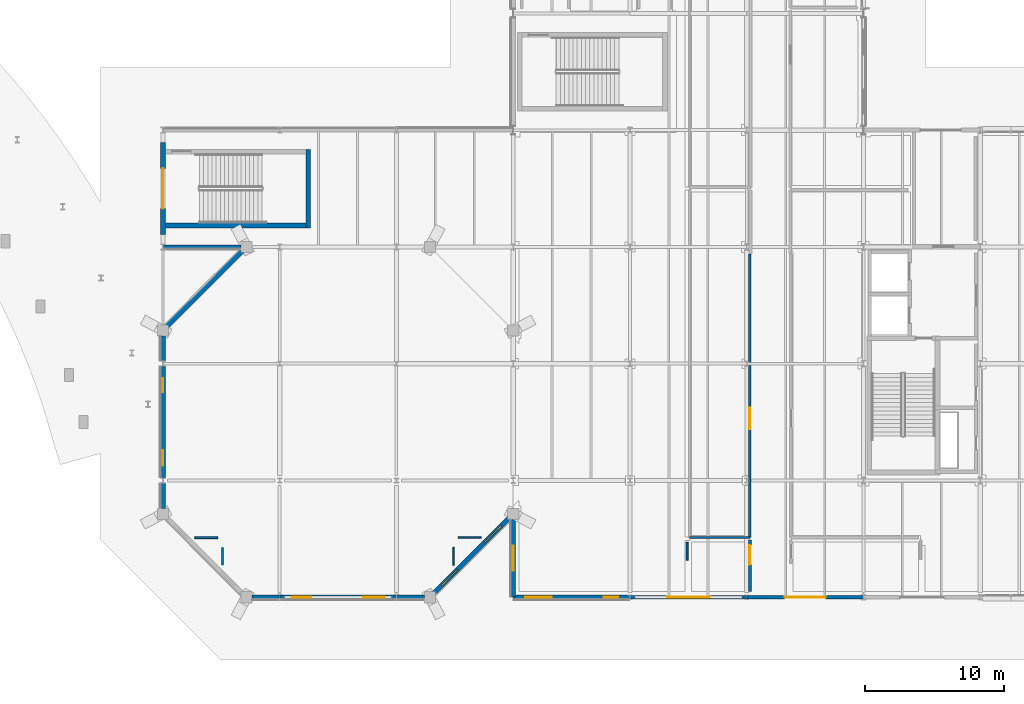
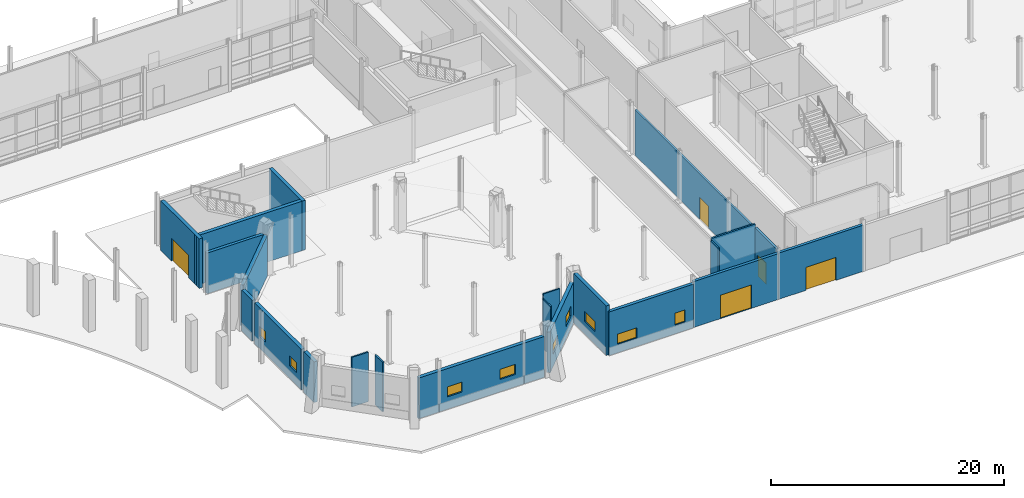
# One storey, part 84 of 124: 24 walls, 9 windows, 5 doors, 14 openings.
"""IFC4 building model written with IfcOpenShell, lengths in metres."""

from ifc_helpers import new_model, si_unit, direction, frame, frame_2d, origin, place, context, subcontext, project, spatial, rectangle, extrude, material, layer, layer_set, type_object, element, fill, save


model = new_model("IFC4")

# Units and contexts
model_context = context("Model", 3, precision=1e-05, world=origin(), true_north=direction((0.0, 1.0)))
body_context = subcontext(model_context, "Body", "Model", "MODEL_VIEW")
ifc_project = project(units=[si_unit("LENGTHUNIT", "METRE"), si_unit("AREAUNIT", "SQUARE_METRE"), si_unit("VOLUMEUNIT", "CUBIC_METRE"), si_unit("PLANEANGLEUNIT", "RADIAN"), si_unit("MASSUNIT", "GRAM", prefix="KILO")], contexts=[model_context])

# Site, building, storey
site_placement = place(None, origin())
site = spatial("IfcSite", under=ifc_project, at=site_placement, CompositionType="ELEMENT")
building_placement = place(site_placement, origin())
building = spatial("IfcBuilding", under=site, at=building_placement, Name="Mersafa Astral City Hall", CompositionType="ELEMENT")
storey_placement = place(building_placement, origin())
storey = spatial("IfcBuildingStorey", under=building, at=storey_placement, Name="L00", CompositionType="ELEMENT", Elevation=0.0)

# Walls
ifc_material_1 = material(Name="Concrete C40/50", Category="concrete")
ifc_layer_1 = layer(ifc_material_1, 0.340087890625, Name="Concrete C40/50")
ifc_layer_set_1 = layer_set([ifc_layer_1], Name="Concrete C40/50 — ENV-WAL-DRUM-340")
wall_type_1 = type_object("IfcWallType", Name="ENV-WAL-DRUM-340", PredefinedType="SHEAR", material=ifc_layer_set_1)
wall_1_placement = place(storey_placement, frame((72.9453125, 24.9453125, 0.0), z_axis=(0.0, 0.0, 1.0), x_axis=(-0.707106781187, -0.707106781187, 0.0)))
element("IfcWall", 1, at=wall_1_placement, inside=storey, type_object=wall_type_1, Name="L00 Limestone-clad exterior wall 2", PredefinedType="SHEAR", context=body_context, shape_type="SweptSolid", body=[
    extrude(rectangle(XDim=7.76513671875, YDim=0.340087890625, at=frame_2d((3.882568359375, 0.0))), origin(), (0.0, 0.0, 1.0), 4.257080078125),
])
wall_2_placement = place(storey_placement, frame((67.199951171875, 18.80810546875, 0.0), z_axis=(0.0, 0.0, 1.0), x_axis=(0.0, -1.0, 0.0)))
element("IfcWall", 2, at=wall_2_placement, inside=storey, type_object=wall_type_1, Name="L00 Limestone-clad exterior wall 3", PredefinedType="SHEAR", context=body_context, shape_type="SweptSolid", body=[
    extrude(rectangle(XDim=1.81201171875, YDim=0.340087890625, at=frame_2d((0.906005859375, 0.0))), origin(), (0.0, 0.0, 1.0), 4.257080078125),
])

# Wall, openings, windows
wall_3_placement = place(storey_placement, frame((67.199951171875, 16.60400390625, 0.0), z_axis=(0.0, 0.0, 1.0), x_axis=(0.0, -1.0, 0.0)))
wall_3 = element("IfcWall", 3, at=wall_3_placement, inside=storey, type_object=wall_type_1, Name="L00 Limestone-clad exterior wall 4", PredefinedType="SHEAR", context=body_context, shape_type="SweptSolid", body=[
    extrude(rectangle(XDim=8.008056640625, YDim=0.340087890625, at=frame_2d((4.00390625, 0.0))), origin(), (0.0, 0.0, 1.0), 4.257080078125),
])
opening_1_placement = place(wall_3_placement, frame((0.85009765625, 0.0, 1.300048828125)))
opening_1 = element("IfcOpeningElement", 4, at=opening_1_placement, cuts=wall_3, Name="Opening W-01", PredefinedType="OPENING", context=body_context, shape_type="SweptSolid", body=[
    extrude(rectangle(XDim=1.02001953125, YDim=1.050048828125, at=frame_2d((0.510009765625, 0.52490234375))), frame((0.0, 0.179931640625, 0.0), z_axis=(0.0, -1.0, 0.0), x_axis=(1.0, 0.0, 0.0)), (0.0, 0.0, 1.0), 0.360107421875),
])
opening_2_placement = place(wall_3_placement, frame((6.0380859375, 0.0, 1.300048828125)))
opening_2 = element("IfcOpeningElement", 5, at=opening_2_placement, cuts=wall_3, Name="Opening W-02", PredefinedType="OPENING", context=body_context, shape_type="SweptSolid", body=[
    extrude(rectangle(XDim=1.1201171875, YDim=1.050048828125, at=frame_2d((0.56005859375, 0.52490234375))), frame((0.0, 0.179931640625, 0.0), z_axis=(0.0, -1.0, 0.0), x_axis=(1.0, 0.0, 0.0)), (0.0, 0.0, 1.0), 0.360107421875),
])
ifc_material_2 = material(Name="Solar control low-e double glazing in bronze frame", Category="glass")
window_type_1 = type_object("IfcWindowType", Name="ENV-WIN-W-01", PartitioningType="SINGLE_PANEL", PredefinedType="WINDOW", material=ifc_material_2)
window_1_placement = place(opening_1_placement, origin())
window_1 = element("IfcWindow", 6, at=window_1_placement, inside=storey, type_object=window_type_1, Name="L00 Solar punched window 4-L", OverallHeight=1.050048828125, OverallWidth=1.02001953125, PartitioningType="SINGLE_PANEL", PredefinedType="WINDOW", context=body_context, shape_type="SweptSolid", body=[
    extrude(rectangle(XDim=1.02001953125, YDim=1.050048828125, at=frame_2d((0.510009765625, 0.52490234375))), frame((0.0, 0.030029296875, 0.0), z_axis=(0.0, -1.0, 0.0), x_axis=(1.0, 0.0, 0.0)), (0.0, 0.0, 1.0), 0.06005859375),
])
fill(opening_1, window_1)
window_type_2 = type_object("IfcWindowType", Name="ENV-WIN-W-02", PartitioningType="SINGLE_PANEL", PredefinedType="WINDOW", material=ifc_material_2)
window_2_placement = place(opening_2_placement, origin())
window_2 = element("IfcWindow", 7, at=window_2_placement, inside=storey, type_object=window_type_2, Name="L00 Solar punched window 4-R", OverallHeight=1.050048828125, OverallWidth=1.1201171875, PartitioningType="SINGLE_PANEL", PredefinedType="WINDOW", context=body_context, shape_type="SweptSolid", body=[
    extrude(rectangle(XDim=1.1201171875, YDim=1.050048828125, at=frame_2d((0.56005859375, 0.52490234375))), frame((0.0, 0.030029296875, 0.0), z_axis=(0.0, -1.0, 0.0), x_axis=(1.0, 0.0, 0.0)), (0.0, 0.0, 1.0), 0.06005859375),
])
fill(opening_2, window_2)

# Walls
wall_4_placement = place(storey_placement, frame((67.199951171875, 8.2041015625, 0.0), z_axis=(0.0, 0.0, 1.0), x_axis=(0.0, -1.0, 0.0)))
element("IfcWall", 8, at=wall_4_placement, inside=storey, type_object=wall_type_1, Name="L00 Limestone-clad exterior wall 5", PredefinedType="SHEAR", context=body_context, shape_type="SweptSolid", body=[
    extrude(rectangle(XDim=1.81201171875, YDim=0.340087890625, at=frame_2d((0.906005859375, 0.0))), origin(), (0.0, 0.0, 1.0), 4.257080078125),
])
wall_5_placement = place(storey_placement, frame((73.592041015625, 0.0, 0.0), z_axis=(0.0, 0.0, 1.0), x_axis=(1.0, 0.0, 0.0)))
element("IfcWall", 9, at=wall_5_placement, inside=storey, type_object=wall_type_1, Name="L00 Limestone-clad exterior wall 7", PredefinedType="SHEAR", context=body_context, shape_type="SweptSolid", body=[
    extrude(rectangle(XDim=2.0, YDim=0.340087890625, at=frame_2d((1.0, 0.0))), origin(), (0.0, 0.0, 1.0), 4.257080078125),
])

# Wall, openings, windows
wall_6_placement = place(storey_placement, frame((75.60791015625, 0.0, 0.0), z_axis=(0.0, 0.0, 1.0), x_axis=(1.0, 0.0, 0.0)))
wall_6 = element("IfcWall", 10, at=wall_6_placement, inside=storey, type_object=wall_type_1, Name="L00 Limestone-clad exterior wall 8", PredefinedType="SHEAR", context=body_context, shape_type="SweptSolid", body=[
    extrude(rectangle(XDim=8.384033203125, YDim=0.340087890625, at=frame_2d((4.19189453125, 0.0))), origin(), (0.0, 0.0, 1.0), 4.257080078125),
])
opening_3_placement = place(wall_6_placement, frame((0.85009765625, 0.0, 1.300048828125)))
opening_3 = element("IfcOpeningElement", 11, at=opening_3_placement, cuts=wall_6, Name="Opening W-05", PredefinedType="OPENING", context=body_context, shape_type="SweptSolid", body=[
    extrude(rectangle(XDim=1.419921875, YDim=1.050048828125, at=frame_2d((0.7099609375, 0.52490234375))), frame((0.0, 0.179931640625, 0.0), z_axis=(0.0, -1.0, 0.0), x_axis=(1.0, 0.0, 0.0)), (0.0, 0.0, 1.0), 0.360107421875),
])
opening_4_placement = place(wall_6_placement, frame((6.013916015625, 0.0, 1.300048828125)))
opening_4 = element("IfcOpeningElement", 12, at=opening_4_placement, cuts=wall_6, Name="Opening W-06", PredefinedType="OPENING", context=body_context, shape_type="SweptSolid", body=[
    extrude(rectangle(XDim=1.52001953125, YDim=1.050048828125, at=frame_2d((0.760009765625, 0.52490234375))), frame((0.0, 0.179931640625, 0.0), z_axis=(0.0, -1.0, 0.0), x_axis=(1.0, 0.0, 0.0)), (0.0, 0.0, 1.0), 0.360107421875),
])
window_type_3 = type_object("IfcWindowType", Name="ENV-WIN-W-05", PartitioningType="SINGLE_PANEL", PredefinedType="WINDOW", material=ifc_material_2)
window_3_placement = place(opening_3_placement, origin())
window_3 = element("IfcWindow", 13, at=window_3_placement, inside=storey, type_object=window_type_3, Name="L00 Solar punched window 8-L", OverallHeight=1.050048828125, OverallWidth=1.419921875, PartitioningType="SINGLE_PANEL", PredefinedType="WINDOW", context=body_context, shape_type="SweptSolid", body=[
    extrude(rectangle(XDim=1.419921875, YDim=1.050048828125, at=frame_2d((0.7099609375, 0.52490234375))), frame((0.0, 0.030029296875, 0.0), z_axis=(0.0, -1.0, 0.0), x_axis=(1.0, 0.0, 0.0)), (0.0, 0.0, 1.0), 0.06005859375),
])
fill(opening_3, window_3)
window_type_4 = type_object("IfcWindowType", Name="ENV-WIN-W-06", PartitioningType="SINGLE_PANEL", PredefinedType="WINDOW", material=ifc_material_2)
window_4_placement = place(opening_4_placement, origin())
window_4 = element("IfcWindow", 14, at=window_4_placement, inside=storey, type_object=window_type_4, Name="L00 Solar punched window 8-R", OverallHeight=1.050048828125, OverallWidth=1.52001953125, PartitioningType="SINGLE_PANEL", PredefinedType="WINDOW", context=body_context, shape_type="SweptSolid", body=[
    extrude(rectangle(XDim=1.52001953125, YDim=1.050048828125, at=frame_2d((0.760009765625, 0.52490234375))), frame((0.0, 0.030029296875, 0.0), z_axis=(0.0, -1.0, 0.0), x_axis=(1.0, 0.0, 0.0)), (0.0, 0.0, 1.0), 0.06005859375),
])
fill(opening_4, window_4)

# Wall
wall_7_placement = place(storey_placement, frame((84.008056640625, 0.0, 0.0), z_axis=(0.0, 0.0, 1.0), x_axis=(1.0, 0.0, 0.0)))
element("IfcWall", 15, at=wall_7_placement, inside=storey, type_object=wall_type_1, Name="L00 Limestone-clad exterior wall 9", PredefinedType="SHEAR", context=body_context, shape_type="SweptSolid", body=[
    extrude(rectangle(XDim=2.0, YDim=0.340087890625, at=frame_2d((1.0, 0.0))), origin(), (0.0, 0.0, 1.0), 4.257080078125),
])

# Wall, openings, windows
wall_8_placement = place(storey_placement, frame((86.654541015625, 0.254638671875, 0.0), z_axis=(0.0, 0.0, 1.0), x_axis=(0.707122501133, 0.70709106089, 0.0)))
wall_8 = element("IfcWall", 16, at=wall_8_placement, inside=storey, type_object=wall_type_1, Name="L00 Limestone-clad exterior wall 10", PredefinedType="SHEAR", context=body_context, shape_type="SweptSolid", body=[
    extrude(rectangle(XDim=7.76513671875, YDim=0.340087890625, at=frame_2d((3.882568359375, 0.0))), origin(), (0.0, 0.0, 1.0), 4.257080078125),
])
opening_5_placement = place(wall_8_placement, frame((0.85009765625, 0.0, 1.300048828125)))
opening_5 = element("IfcOpeningElement", 17, at=opening_5_placement, cuts=wall_8, Name="Opening W-07", PredefinedType="OPENING", context=body_context, shape_type="SweptSolid", body=[
    extrude(rectangle(XDim=1.6201171875, YDim=1.050048828125, at=frame_2d((0.81005859375, 0.52490234375))), frame((0.0, 0.179931640625, 0.0), z_axis=(0.0, -1.0, 0.0), x_axis=(1.0, 0.0, 0.0)), (0.0, 0.0, 1.0), 0.360107421875),
])
opening_6_placement = place(wall_8_placement, frame((5.1953125, 0.0, 1.300048828125)))
opening_6 = element("IfcOpeningElement", 18, at=opening_6_placement, cuts=wall_8, Name="Opening W-08", PredefinedType="OPENING", context=body_context, shape_type="SweptSolid", body=[
    extrude(rectangle(XDim=1.719970703125, YDim=1.050048828125, at=frame_2d((0.85986328125, 0.52490234375))), frame((0.0, 0.179931640625, 0.0), z_axis=(0.0, -1.0, 0.0), x_axis=(1.0, 0.0, 0.0)), (0.0, 0.0, 1.0), 0.360107421875),
])
window_type_5 = type_object("IfcWindowType", Name="ENV-WIN-W-07", PartitioningType="SINGLE_PANEL", PredefinedType="WINDOW", material=ifc_material_2)
window_5_placement = place(opening_5_placement, origin())
window_5 = element("IfcWindow", 19, at=window_5_placement, inside=storey, type_object=window_type_5, Name="L00 Solar punched window 10-L", OverallHeight=1.050048828125, OverallWidth=1.6201171875, PartitioningType="SINGLE_PANEL", PredefinedType="WINDOW", context=body_context, shape_type="SweptSolid", body=[
    extrude(rectangle(XDim=1.6201171875, YDim=1.050048828125, at=frame_2d((0.81005859375, 0.52490234375))), frame((0.0, 0.030029296875, 0.0), z_axis=(0.0, -1.0, 0.0), x_axis=(1.0, 0.0, 0.0)), (0.0, 0.0, 1.0), 0.06005859375),
])
fill(opening_5, window_5)
window_type_6 = type_object("IfcWindowType", Name="ENV-WIN-W-08", PartitioningType="SINGLE_PANEL", PredefinedType="WINDOW", material=ifc_material_2)
window_6_placement = place(opening_6_placement, origin())
window_6 = element("IfcWindow", 20, at=window_6_placement, inside=storey, type_object=window_type_6, Name="L00 Solar punched window 10-R", OverallHeight=1.050048828125, OverallWidth=1.719970703125, PartitioningType="SINGLE_PANEL", PredefinedType="WINDOW", context=body_context, shape_type="SweptSolid", body=[
    extrude(rectangle(XDim=1.719970703125, YDim=1.050048828125, at=frame_2d((0.85986328125, 0.52490234375))), frame((0.0, 0.030029296875, 0.0), z_axis=(0.0, -1.0, 0.0), x_axis=(1.0, 0.0, 0.0)), (0.0, 0.0, 1.0), 0.06005859375),
])
fill(opening_6, window_6)

# Wall, opening, window
wall_9_placement = place(storey_placement, frame((92.39990234375, 5.60791015625, 0.0), z_axis=(0.0, 0.0, 1.0), x_axis=(0.0, -1.0, 0.0)))
wall_9 = element("IfcWall", 21, at=wall_9_placement, inside=storey, type_object=wall_type_1, Name="L00 Limestone-clad exterior wall 11", PredefinedType="SHEAR", context=body_context, shape_type="SweptSolid", body=[
    extrude(rectangle(XDim=5.60791015625, YDim=0.340087890625, at=frame_2d((2.803955078125, 0.0))), origin(), (0.0, 0.0, 1.0), 5.175048828125),
])
opening_7_placement = place(wall_9_placement, frame((1.89404296875, 0.0, 1.300048828125)))
opening_7 = element("IfcOpeningElement", 22, at=opening_7_placement, cuts=wall_9, Name="Opening W-09", PredefinedType="OPENING", context=body_context, shape_type="SweptSolid", body=[
    extrude(rectangle(XDim=1.820068359375, YDim=1.050048828125, at=frame_2d((0.91015625, 0.52490234375))), frame((0.0, 0.179931640625, 0.0), z_axis=(0.0, -1.0, 0.0), x_axis=(1.0, 0.0, 0.0)), (0.0, 0.0, 1.0), 0.360107421875),
])
window_type_7 = type_object("IfcWindowType", Name="ENV-WIN-W-09", PartitioningType="SINGLE_PANEL", PredefinedType="WINDOW", material=ifc_material_2)
window_7_placement = place(opening_7_placement, origin())
window_7 = element("IfcWindow", 23, at=window_7_placement, inside=storey, type_object=window_type_7, Name="L00 Solar punched window 11", OverallHeight=1.050048828125, OverallWidth=1.820068359375, PartitioningType="SINGLE_PANEL", PredefinedType="WINDOW", context=body_context, shape_type="SweptSolid", body=[
    extrude(rectangle(XDim=1.820068359375, YDim=1.050048828125, at=frame_2d((0.91015625, 0.52490234375))), frame((0.0, 0.030029296875, 0.0), z_axis=(0.0, -1.0, 0.0), x_axis=(1.0, 0.0, 0.0)), (0.0, 0.0, 1.0), 0.06005859375),
])
fill(opening_7, window_7)

# Wall, opening, door
ifc_material_3 = material(Name="Precast concrete C40/50 insulated limestone wall", Category="masonry")
ifc_layer_2 = layer(ifc_material_3, 0.280029296875, Name="Precast concrete C40/50 insulated limestone wall")
ifc_layer_set_2 = layer_set([ifc_layer_2], Name="Precast concrete C40/50 insulated limestone wall — ENV-WAL-EXT-280")
wall_type_2 = type_object("IfcWallType", Name="ENV-WAL-EXT-280", PredefinedType="STANDARD", material=ifc_layer_set_2)
wall_10_placement = place(storey_placement, frame((109.19189453125, 0.0, 0.0), z_axis=(0.0, 0.0, 1.0), x_axis=(-1.0, 0.0, 0.0)))
wall_10 = element("IfcWall", 24, at=wall_10_placement, inside=storey, type_object=wall_type_2, Name="L00 Civic Entrance & Exit Portal Wall E2", PredefinedType="STANDARD", context=body_context, shape_type="SweptSolid", body=[
    extrude(rectangle(XDim=8.3837890625, YDim=0.280029296875, at=frame_2d((4.19189453125, 0.0))), origin(), (0.0, 0.0, 1.0), 4.797119140625),
])
opening_8_placement = place(wall_10_placement, frame((2.6669921875, 0.0, 0.0)))
opening_8 = element("IfcOpeningElement", 25, at=opening_8_placement, cuts=wall_10, Name="Opening ED-2", PredefinedType="OPENING", context=body_context, shape_type="SweptSolid", body=[
    extrude(rectangle(XDim=3.050048828125, YDim=2.449951171875, at=frame_2d((1.52490234375, 1.22509765625))), frame((0.0, 0.14990234375, 0.0), z_axis=(0.0, -1.0, 0.0), x_axis=(1.0, 0.0, 0.0)), (0.0, 0.0, 1.0), 0.300048828125),
])
ifc_material_4 = material(Name="Anodised bronze glazed exit door pair", Category="metal")
door_type_1 = type_object("IfcDoorType", Name="ENV-DR-EXIT-2750", OperationType="NOTDEFINED", PredefinedType="DOOR", material=ifc_material_4)
door_1_placement = place(opening_8_placement, origin())
door_1 = element("IfcDoor", 26, at=door_1_placement, inside=storey, type_object=door_type_1, Name="Ground Final Exit Door E2", OperationType="DOUBLE_DOOR_SINGLE_SWING", OverallHeight=2.449951171875, OverallWidth=3.050048828125, PredefinedType="DOOR", context=body_context, shape_type="SweptSolid", body=[
    extrude(rectangle(XDim=3.050048828125, YDim=2.449951171875, at=frame_2d((1.52490234375, 1.22509765625))), frame((0.0, 0.02490234375, 0.0), z_axis=(0.0, -1.0, 0.0), x_axis=(1.0, 0.0, 0.0)), (0.0, 0.0, 1.0), 0.050048828125),
])
fill(opening_8, door_1)

wall_11_placement = place(storey_placement, frame((117.592041015625, 0.0, 0.0), z_axis=(0.0, 0.0, 1.0), x_axis=(-1.0, 0.0, 0.0)))
wall_11 = element("IfcWall", 27, at=wall_11_placement, inside=storey, type_object=wall_type_2, Name="L00 Civic Entrance & Exit Portal Wall E3", PredefinedType="STANDARD", context=body_context, shape_type="SweptSolid", body=[
    extrude(rectangle(XDim=8.384033203125, YDim=0.280029296875, at=frame_2d((4.19189453125, 0.0))), origin(), (0.0, 0.0, 1.0), 4.826904296875),
])
opening_9_placement = place(wall_11_placement, frame((2.717041015625, 0.0, 0.0)))
opening_9 = element("IfcOpeningElement", 28, at=opening_9_placement, cuts=wall_11, Name="Opening ED-3", PredefinedType="OPENING", context=body_context, shape_type="SweptSolid", body=[
    extrude(rectangle(XDim=2.949951171875, YDim=2.39990234375, at=frame_2d((1.47509765625, 1.199951171875))), frame((0.0, 0.14990234375, 0.0), z_axis=(0.0, -1.0, 0.0), x_axis=(1.0, 0.0, 0.0)), (0.0, 0.0, 1.0), 0.300048828125),
])
door_type_2 = type_object("IfcDoorType", Name="ENV-DR-EXIT-2650", OperationType="NOTDEFINED", PredefinedType="DOOR", material=ifc_material_4)
door_2_placement = place(opening_9_placement, origin())
door_2 = element("IfcDoor", 29, at=door_2_placement, inside=storey, type_object=door_type_2, Name="Ground Final Exit Door E3", OperationType="DOUBLE_DOOR_SINGLE_SWING", OverallHeight=2.39990234375, OverallWidth=2.949951171875, PredefinedType="DOOR", context=body_context, shape_type="SweptSolid", body=[
    extrude(rectangle(XDim=2.949951171875, YDim=2.39990234375, at=frame_2d((1.47509765625, 1.199951171875))), frame((0.0, 0.02490234375, 0.0), z_axis=(0.0, -1.0, 0.0), x_axis=(1.0, 0.0, 0.0)), (0.0, 0.0, 1.0), 0.050048828125),
])
fill(opening_9, door_2)

# Wall
ifc_layer_3 = layer(ifc_material_3, 0.294921875, Name="Precast concrete C40/50 insulated limestone wall")
ifc_layer_set_3 = layer_set([ifc_layer_3], Name="Precast concrete C40/50 insulated limestone wall — ENV-WAL-EXT-295")
wall_type_3 = type_object("IfcWallType", Name="ENV-WAL-EXT-295", PredefinedType="STANDARD", material=ifc_layer_set_3)
wall_12_placement = place(storey_placement, frame((67.2080078125, 25.199951171875, 0.0), z_axis=(0.0, 0.0, 1.0), x_axis=(1.0, 0.0, 0.0)))
element("IfcWall", 30, at=wall_12_placement, inside=storey, type_object=wall_type_3, Name="L00 Limestone-clad exterior wall 1", PredefinedType="STANDARD", context=body_context, shape_type="SweptSolid", body=[
    extrude(rectangle(XDim=5.60009765625, YDim=0.294921875, at=frame_2d((2.800048828125, 0.0))), origin(), (0.0, 0.0, 1.0), 4.257080078125),
])

# Wall, openings, windows
ifc_layer_4 = layer(ifc_material_3, 0.31005859375, Name="Precast concrete C40/50 insulated limestone wall")
ifc_layer_set_4 = layer_set([ifc_layer_4], Name="Precast concrete C40/50 insulated limestone wall — ENV-WAL-EXT-310")
wall_type_4 = type_object("IfcWallType", Name="ENV-WAL-EXT-310", PredefinedType="STANDARD", material=ifc_layer_set_4)
wall_13_placement = place(storey_placement, frame((92.39990234375, 0.0, 0.0), z_axis=(0.0, 0.0, 1.0), x_axis=(1.0, 0.0, 0.0)))
wall_13 = element("IfcWall", 31, at=wall_13_placement, inside=storey, type_object=wall_type_4, Name="L00 Limestone-clad exterior wall 12", PredefinedType="STANDARD", context=body_context, shape_type="SweptSolid", body=[
    extrude(rectangle(XDim=8.39208984375, YDim=0.31005859375, at=frame_2d((4.196044921875, 0.0))), origin(), (0.0, 0.0, 1.0), 4.556884765625),
])
opening_10_placement = place(wall_13_placement, frame((0.85009765625, 0.0, 0.89990234375)))
opening_10 = element("IfcOpeningElement", 32, at=opening_10_placement, cuts=wall_13, Name="Opening W-10", PredefinedType="OPENING", context=body_context, shape_type="SweptSolid", body=[
    extrude(rectangle(XDim=1.919921875, YDim=1.050048828125, at=frame_2d((0.9599609375, 0.52490234375))), frame((0.0, 0.1650390625, 0.0), z_axis=(0.0, -1.0, 0.0), x_axis=(1.0, 0.0, 0.0)), (0.0, 0.0, 1.0), 0.330078125),
])
opening_11_placement = place(wall_13_placement, frame((6.52197265625, 0.0, 0.89990234375)))
opening_11 = element("IfcOpeningElement", 33, at=opening_11_placement, cuts=wall_13, Name="Opening W-11", PredefinedType="OPENING", context=body_context, shape_type="SweptSolid", body=[
    extrude(rectangle(XDim=1.02001953125, YDim=1.25, at=frame_2d((0.510009765625, 0.625))), frame((0.0, 0.1650390625, 0.0), z_axis=(0.0, -1.0, 0.0), x_axis=(1.0, 0.0, 0.0)), (0.0, 0.0, 1.0), 0.330078125),
])
window_type_8 = type_object("IfcWindowType", Name="ENV-WIN-W-10", PartitioningType="SINGLE_PANEL", PredefinedType="WINDOW", material=ifc_material_2)
window_8_placement = place(opening_10_placement, origin())
window_8 = element("IfcWindow", 34, at=window_8_placement, inside=storey, type_object=window_type_8, Name="L00 Solar punched window 12-L", OverallHeight=1.050048828125, OverallWidth=1.919921875, PartitioningType="SINGLE_PANEL", PredefinedType="WINDOW", context=body_context, shape_type="SweptSolid", body=[
    extrude(rectangle(XDim=1.919921875, YDim=1.050048828125, at=frame_2d((0.9599609375, 0.52490234375))), frame((0.0, 0.030029296875, 0.0), z_axis=(0.0, -1.0, 0.0), x_axis=(1.0, 0.0, 0.0)), (0.0, 0.0, 1.0), 0.06005859375),
])
fill(opening_10, window_8)
window_type_9 = type_object("IfcWindowType", Name="ENV-WIN-W-11", PartitioningType="SINGLE_PANEL", PredefinedType="WINDOW", material=ifc_material_2)
window_9_placement = place(opening_11_placement, origin())
window_9 = element("IfcWindow", 35, at=window_9_placement, inside=storey, type_object=window_type_9, Name="L00 Solar punched window 12-R", OverallHeight=1.25, OverallWidth=1.02001953125, PartitioningType="SINGLE_PANEL", PredefinedType="WINDOW", context=body_context, shape_type="SweptSolid", body=[
    extrude(rectangle(XDim=1.02001953125, YDim=1.25, at=frame_2d((0.510009765625, 0.625))), frame((0.0, 0.030029296875, 0.0), z_axis=(0.0, -1.0, 0.0), x_axis=(1.0, 0.0, 0.0)), (0.0, 0.0, 1.0), 0.06005859375),
])
fill(opening_11, window_9)

# Wall
ifc_layer_5 = layer(ifc_material_1, 0.340087890625, Name="Concrete C40/50")
ifc_layer_set_5 = layer_set([ifc_layer_5], Name="Concrete C40/50 — INT-WAL-CORE-340")
wall_type_5 = type_object("IfcWallType", Name="INT-WAL-CORE-340", PredefinedType="SHEAR", material=ifc_layer_set_5)
wall_14_placement = place(storey_placement, frame((67.034912109375, 26.7451171875, 0.0), z_axis=(0.0, 0.0, 1.0), x_axis=(1.0, 0.0, 0.0)))
element("IfcWall", 36, at=wall_14_placement, inside=storey, type_object=wall_type_5, Name="L00 Assembly stair K7 south wall", PredefinedType="SHEAR", context=body_context, shape_type="SweptSolid", body=[
    extrude(rectangle(XDim=10.7900390625, YDim=0.340087890625, at=frame_2d((5.39501953125, 0.0))), origin(), (0.0, 0.0, 1.0), 5.175048828125),
])

# Wall, opening, door
wall_15_placement = place(storey_placement, frame((67.205078125, 26.094970703125, 0.0), z_axis=(0.0, 0.0, 1.0), x_axis=(0.0, 1.0, 0.0)))
wall_15 = element("IfcWall", 37, at=wall_15_placement, inside=storey, type_object=wall_type_5, Name="L00 Assembly stair K7 west wall", PredefinedType="SHEAR", context=body_context, shape_type="SweptSolid", body=[
    extrude(rectangle(XDim=6.610107421875, YDim=0.340087890625, at=frame_2d((3.30517578125, 0.0))), origin(), (0.0, 0.0, 1.0), 5.175048828125),
])
opening_12_placement = place(wall_15_placement, frame((1.85498046875, 0.0, 0.0)))
opening_12 = element("IfcOpeningElement", 38, at=opening_12_placement, cuts=wall_15, Name="Opening ED-4", PredefinedType="OPENING", context=body_context, shape_type="SweptSolid", body=[
    extrude(rectangle(XDim=2.89990234375, YDim=2.3798828125, at=frame_2d((1.449951171875, 1.18994140625))), frame((0.0, 0.179931640625, 0.0), z_axis=(0.0, -1.0, 0.0), x_axis=(1.0, 0.0, 0.0)), (0.0, 0.0, 1.0), 0.360107421875),
])
ifc_material_5 = material(Name="Fire-rated steel exit door pair", Category="steel")
door_type_3 = type_object("IfcDoorType", Name="ENV-DR-EXIT-FD90-2650", OperationType="NOTDEFINED", PredefinedType="DOOR", material=ifc_material_5)
door_3_placement = place(opening_12_placement, origin())
door_3 = element("IfcDoor", 39, at=door_3_placement, inside=storey, type_object=door_type_3, Name="Ground Final Exit Door E4", OperationType="DOUBLE_DOOR_SINGLE_SWING", OverallHeight=2.3798828125, OverallWidth=2.89990234375, PredefinedType="DOOR", context=body_context, shape_type="SweptSolid", body=[
    extrude(rectangle(XDim=2.89990234375, YDim=2.3798828125, at=frame_2d((1.449951171875, 1.18994140625))), frame((0.0, 0.02490234375, 0.0), z_axis=(0.0, -1.0, 0.0), x_axis=(1.0, 0.0, 0.0)), (0.0, 0.0, 1.0), 0.050048828125),
])
fill(opening_12, door_3)

# Walls
wall_16_placement = place(storey_placement, frame((77.655029296875, 26.574951171875, 0.0), z_axis=(0.0, 0.0, 1.0), x_axis=(0.0, 1.0, 0.0)))
element("IfcWall", 40, at=wall_16_placement, inside=storey, type_object=wall_type_5, Name="L00 Assembly stair K7 east wall", PredefinedType="SHEAR", context=body_context, shape_type="SweptSolid", body=[
    extrude(rectangle(XDim=5.650146484375, YDim=0.340087890625, at=frame_2d((2.8251953125, 0.0))), origin(), (0.0, 0.0, 1.0), 5.175048828125),
])
ifc_material_6 = material(Name="Acoustic steel-stud gypsum partition", Category="steel")
ifc_layer_6 = layer(ifc_material_6, 0.1201171875, Name="Acoustic steel-stud gypsum partition")
ifc_layer_set_6 = layer_set([ifc_layer_6], Name="Acoustic steel-stud gypsum partition — INT-WAL-PART-EI30-120")
wall_type_6 = type_object("IfcWallType", Name="INT-WAL-PART-EI30-120", PredefinedType="STANDARD", material=ifc_layer_set_6)
wall_17_placement = place(storey_placement, frame((88.110107421875, 3.590087890625, -0.00390625), z_axis=(0.0, 0.0, 1.0), x_axis=(0.0, -1.0, 0.0)))
element("IfcWall", 41, at=wall_17_placement, inside=storey, type_object=wall_type_6, Name="L00 Interior partition wall 167", PredefinedType="STANDARD", context=body_context, shape_type="SweptSolid", body=[
    extrude(rectangle(XDim=1.2861328125, YDim=0.1201171875, at=frame_2d((0.64306640625, 0.0))), origin(), (0.0, 0.0, 1.0), 5.178955078125),
])
wall_18_placement = place(storey_placement, frame((90.095947265625, 4.2900390625, -0.00390625), z_axis=(0.0, 0.0, 1.0), x_axis=(-1.0, 0.0, 0.0)))
element("IfcWall", 42, at=wall_18_placement, inside=storey, type_object=wall_type_6, Name="L00 Interior partition wall 173", PredefinedType="STANDARD", context=body_context, shape_type="SweptSolid", body=[
    extrude(rectangle(XDim=1.635986328125, YDim=0.1201171875, at=frame_2d((0.81787109375, 0.0))), origin(), (0.0, 0.0, 1.0), 5.178955078125),
])
ifc_layer_7 = layer(ifc_material_6, 0.135009765625, Name="Acoustic steel-stud gypsum partition")
ifc_layer_set_7 = layer_set([ifc_layer_7], Name="Acoustic steel-stud gypsum partition — INT-WAL-PART-EI30-135")
wall_type_7 = type_object("IfcWallType", Name="INT-WAL-PART-EI30-135", PredefinedType="STANDARD", material=ifc_layer_set_7)
wall_19_placement = place(storey_placement, frame((71.139892578125, 4.2900390625, -0.00390625), z_axis=(0.0, 0.0, 1.0), x_axis=(-1.0, 0.0, 0.0)))
element("IfcWall", 43, at=wall_19_placement, inside=storey, type_object=wall_type_7, Name="L00 Interior partition wall 169", PredefinedType="STANDARD", context=body_context, shape_type="SweptSolid", body=[
    extrude(rectangle(XDim=1.635986328125, YDim=0.135009765625, at=frame_2d((0.81787109375, 0.0))), origin(), (0.0, 0.0, 1.0), 5.178955078125),
])
wall_20_placement = place(storey_placement, frame((104.909912109375, 3.93994140625, -0.00390625), z_axis=(0.0, 0.0, 1.0), x_axis=(0.0, -1.0, 0.0)))
element("IfcWall", 44, at=wall_20_placement, inside=storey, type_object=wall_type_7, Name="L00 Interior partition wall 172", PredefinedType="STANDARD", context=body_context, shape_type="SweptSolid", body=[
    extrude(rectangle(XDim=1.269287109375, YDim=0.135009765625, at=frame_2d((0.634765625, 0.0))), origin(), (0.0, 0.0, 1.0), 5.178955078125),
])
ifc_layer_8 = layer(ifc_material_6, 0.14990234375, Name="Acoustic steel-stud gypsum partition")
ifc_layer_set_8 = layer_set([ifc_layer_8], Name="Acoustic steel-stud gypsum partition — INT-WAL-PART-EI30-150")
wall_type_8 = type_object("IfcWallType", Name="INT-WAL-PART-EI30-150", PredefinedType="STANDARD", material=ifc_layer_set_8)
wall_21_placement = place(storey_placement, frame((71.489990234375, 2.303955078125, -0.00390625), z_axis=(0.0, 0.0, 1.0), x_axis=(0.0, 1.0, 0.0)))
element("IfcWall", 45, at=wall_21_placement, inside=storey, type_object=wall_type_8, Name="L00 Interior partition wall 168", PredefinedType="STANDARD", context=body_context, shape_type="SweptSolid", body=[
    extrude(rectangle(XDim=1.2861328125, YDim=0.14990234375, at=frame_2d((0.64306640625, 0.0))), origin(), (0.0, 0.0, 1.0), 5.178955078125),
])
ifc_material_7 = material(Name="Fire-rated gypsum stud partition", Category="gypsum")
ifc_layer_9 = layer(ifc_material_7, 0.1650390625, Name="Fire-rated gypsum stud partition")
ifc_layer_set_9 = layer_set([ifc_layer_9], Name="Fire-rated gypsum stud partition — INT-WAL-PART-EI60-165")
wall_type_9 = type_object("IfcWallType", Name="INT-WAL-PART-EI60-165", PredefinedType="STANDARD", material=ifc_layer_set_9)
wall_22_placement = place(storey_placement, frame((109.419921875, 4.2900390625, -0.00390625), z_axis=(0.0, 0.0, 1.0), x_axis=(-1.0, 0.0, 0.0)))
element("IfcWall", 46, at=wall_22_placement, inside=storey, type_object=wall_type_9, Name="L00 Interior partition wall 159", PredefinedType="STANDARD", context=body_context, shape_type="SweptSolid", body=[
    extrude(rectangle(XDim=4.329833984375, YDim=0.1650390625, at=frame_2d((2.1650390625, 0.0))), origin(), (0.0, 0.0, 1.0), 5.178955078125),
])

# Wall, opening, door
ifc_material_8 = material(Name="Acoustic twin-stud gypsum partition", Category="gypsum")
ifc_layer_10 = layer(ifc_material_8, 0.179931640625, Name="Acoustic twin-stud gypsum partition")
ifc_layer_set_10 = layer_set([ifc_layer_10], Name="Acoustic twin-stud gypsum partition — INT-WAL-PART-EI60-180")
wall_type_10 = type_object("IfcWallType", Name="INT-WAL-PART-EI60-180", PredefinedType="STANDARD", material=ifc_layer_set_10)
wall_23_placement = place(storey_placement, frame((109.419921875, 24.679931640625, -0.00390625), z_axis=(0.0, 0.0, 1.0), x_axis=(0.0, -1.0, 0.0)))
wall_23 = element("IfcWall", 47, at=wall_23_placement, inside=storey, type_object=wall_type_10, Name="L00 Interior partition wall 158", PredefinedType="STANDARD", context=body_context, shape_type="SweptSolid", body=[
    extrude(rectangle(XDim=20.389892578125, YDim=0.179931640625, at=frame_2d((10.19482421875, 0.0))), origin(), (0.0, 0.0, 1.0), 4.760986328125),
])
opening_13_placement = place(wall_23_placement, frame((11.05615234375, 0.0, 0.0)))
opening_13 = element("IfcOpeningElement", 48, at=opening_13_placement, cuts=wall_23, Name="Opening D-35", PredefinedType="OPENING", context=body_context, shape_type="SweptSolid", body=[
    extrude(rectangle(XDim=1.5400390625, YDim=2.300048828125, at=frame_2d((0.77001953125, 1.14990234375))), frame((0.0, 0.099853515625, 0.0), z_axis=(0.0, -1.0, 0.0), x_axis=(1.0, 0.0, 0.0)), (0.0, 0.0, 1.0), 0.199951171875),
])
ifc_material_9 = material(Name="Cedar veneered acoustic fire-rated timber door", Category="wood")
door_type_4 = type_object("IfcDoorType", Name="INT-DR-RM-D-35", OperationType="NOTDEFINED", PredefinedType="DOOR", material=ifc_material_9)
door_4_placement = place(opening_13_placement, origin())
door_4 = element("IfcDoor", 49, at=door_4_placement, inside=storey, type_object=door_type_4, Name="L00 Press & Media Accreditation Room L00-09 Entrance Door", OperationType="SINGLE_SWING_LEFT", OverallHeight=2.300048828125, OverallWidth=1.5400390625, PredefinedType="DOOR", context=body_context, shape_type="SweptSolid", body=[
    extrude(rectangle(XDim=1.5400390625, YDim=2.300048828125, at=frame_2d((0.77001953125, 1.14990234375))), frame((0.0, 0.02490234375, 0.0), z_axis=(0.0, -1.0, 0.0), x_axis=(1.0, 0.0, 0.0)), (0.0, 0.0, 1.0), 0.050048828125),
])
fill(opening_13, door_4)

ifc_material_10 = material(Name="Autoclaved aerated concrete blockwork plastered", Category="masonry")
ifc_layer_11 = layer(ifc_material_10, 0.2099609375, Name="Autoclaved aerated concrete blockwork plastered")
ifc_layer_set_11 = layer_set([ifc_layer_11], Name="Autoclaved aerated concrete blockwork plastered — INT-WAL-PART-EI60-210")
wall_type_11 = type_object("IfcWallType", Name="INT-WAL-PART-EI60-210", PredefinedType="STANDARD", material=ifc_layer_set_11)
wall_24_placement = place(storey_placement, frame((109.419921875, 4.110107421875, -0.00390625), z_axis=(0.0, 0.0, 1.0), x_axis=(0.0, -1.0, 0.0)))
wall_24 = element("IfcWall", 50, at=wall_24_placement, inside=storey, type_object=wall_type_11, Name="L00 Interior partition wall 268", PredefinedType="STANDARD", context=body_context, shape_type="SweptSolid", body=[
    extrude(rectangle(XDim=3.690185546875, YDim=0.2099609375, at=frame_2d((1.84521484375, 0.0))), origin(), (0.0, 0.0, 1.0), 4.890869140625),
])
opening_14_placement = place(wall_24_placement, frame((0.360107421875, 0.0, 0.0)))
opening_14 = element("IfcOpeningElement", 51, at=opening_14_placement, cuts=wall_24, Name="Opening D-25", PredefinedType="OPENING", context=body_context, shape_type="SweptSolid", body=[
    extrude(rectangle(XDim=1.39990234375, YDim=2.219970703125, at=frame_2d((0.699951171875, 1.10986328125))), frame((0.0, 0.114990234375, 0.0), z_axis=(0.0, -1.0, 0.0), x_axis=(1.0, 0.0, 0.0)), (0.0, 0.0, 1.0), 0.22998046875),
])
door_type_5 = type_object("IfcDoorType", Name="INT-DR-RM-D-25", OperationType="NOTDEFINED", PredefinedType="DOOR", material=ifc_material_9)
door_5_placement = place(opening_14_placement, origin())
door_5 = element("IfcDoor", 52, at=door_5_placement, inside=storey, type_object=door_type_5, Name="L00 Civil Registry Reception Hall L00-35 Entrance Door", OperationType="SINGLE_SWING_LEFT", OverallHeight=2.219970703125, OverallWidth=1.39990234375, PredefinedType="DOOR", context=body_context, shape_type="SweptSolid", body=[
    extrude(rectangle(XDim=1.39990234375, YDim=2.219970703125, at=frame_2d((0.699951171875, 1.10986328125))), frame((0.0, 0.02490234375, 0.0), z_axis=(0.0, -1.0, 0.0), x_axis=(1.0, 0.0, 0.0)), (0.0, 0.0, 1.0), 0.050048828125),
])
fill(opening_14, door_5)

save(model, "model.ifc")
